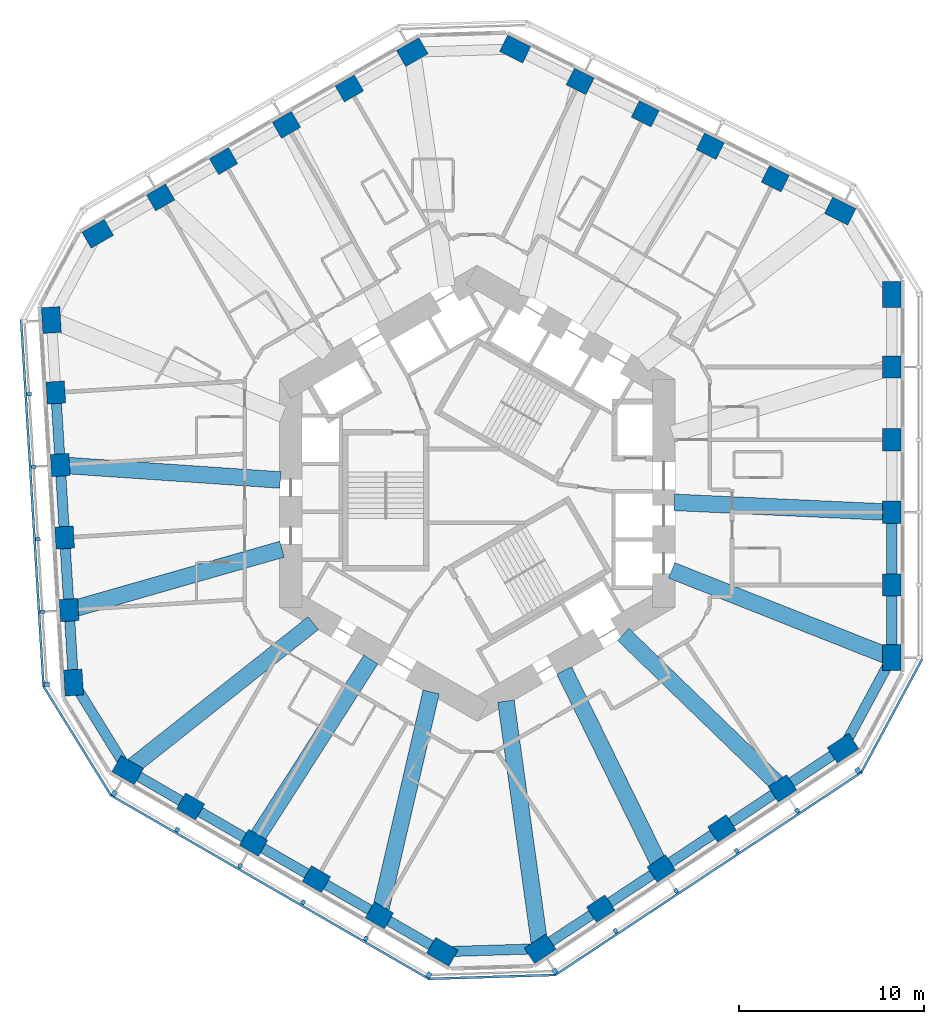
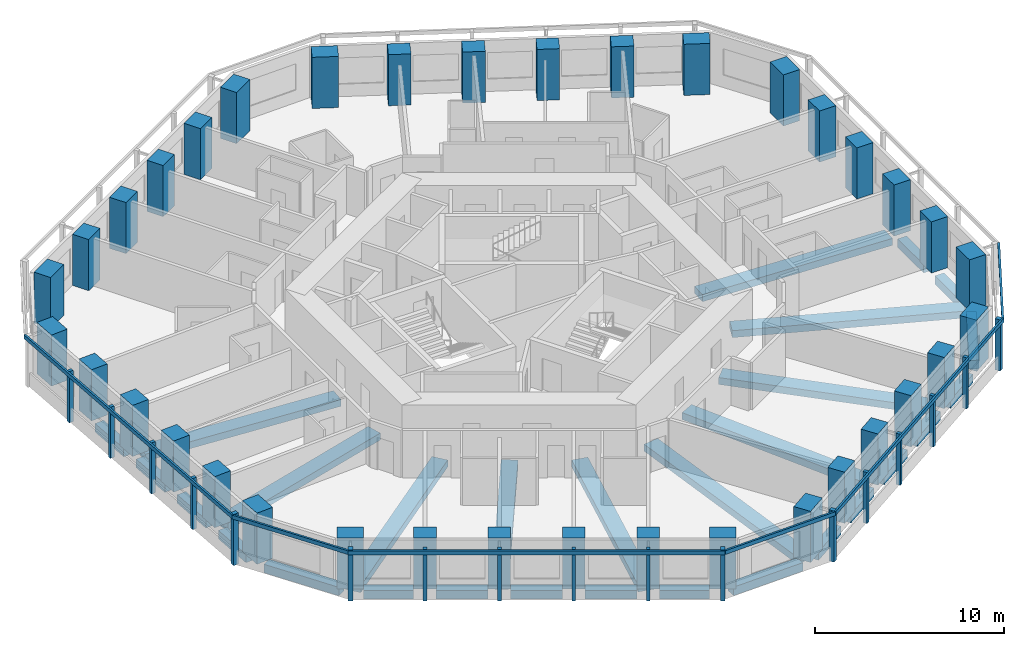
# One storey, part 1 of 12: 36 columns, 29 beams, 23 members, 6 elements without a shape of their own.
"""IFC4 building model written with IfcOpenShell, lengths in metres."""

from ifc_helpers import new_model, si_unit, direction, frame, origin, origin_2d, place, context, subcontext, project, spatial, rectangle, extrude, material, material_profile, profile_set, type_object, element, aggregate, save


model = new_model("IFC4")

# Units and contexts
model_context = context("Model", 3, precision=1e-05, world=origin(), true_north=direction((0.0, 1.0)))
body_context = subcontext(model_context, "Body", "Model", "MODEL_VIEW")
ifc_project = project(units=[si_unit("LENGTHUNIT", "METRE"), si_unit("AREAUNIT", "SQUARE_METRE"), si_unit("VOLUMEUNIT", "CUBIC_METRE"), si_unit("PLANEANGLEUNIT", "RADIAN"), si_unit("MASSUNIT", "GRAM", prefix="KILO")], contexts=[model_context])

# Site, building, storey
site_placement = place(None, origin())
site = spatial("IfcSite", under=ifc_project, at=site_placement, CompositionType="ELEMENT")
building_placement = place(site_placement, origin())
building = spatial("IfcBuilding", under=site, at=building_placement, Name="Vanh Sen Convention Tower", CompositionType="ELEMENT")
storey_placement = place(building_placement, frame((0.0, 0.0, 86.89990234375)))
storey = spatial("IfcBuildingStorey", under=building, at=storey_placement, Name="L19", CompositionType="ELEMENT", Elevation=86.89990234375)

# Columns
ifc_material_1 = material(Name="Concrete C80/95", Category="concrete")
ifc_material_profile_1 = material_profile(ifc_material_1, rectangle(XDim=1.199951171875, YDim=1.0, at=origin_2d()), Name="RC 1200X1000")
ifc_profile_set_1 = profile_set([ifc_material_profile_1], Name="Concrete C80/95")
column_type_1 = type_object("IfcColumnType", Name="Facade column 1200 x 1000 C80/95", PredefinedType="COLUMN", material=ifc_profile_set_1)
for number, where, z_axis, x_axis, name in (
    (1, (22.449951171875, -4.964599609375, 0.0), (0.0, 0.0, 1.0), (0.0, 1.0, 0.0), "Facade column 02 L19"),
    (2, (22.449951171875, -1.030029296875, 0.0), (0.0, 0.0, 1.0), (0.0, 1.0, 0.0), "Facade column 03 L19"),
    (3, (22.449951171875, 2.904541015625, 0.0), (0.0, 0.0, 1.0), (0.0, 1.0, 0.0), "Facade column 04 L19"),
    (4, (22.449951171875, 6.839111328125, 0.0), (0.0, 0.0, 1.0), (0.0, 1.0, 0.0), "Facade column 05 L19"),
    (5, (16.1376953125, 17.039794921875, 0.0), (0.0, 0.0, 1.0), (-0.894934361602, 0.44619781311, 0.0), "Facade column 08 L19"),
    (6, (12.616455078125, 18.79541015625, 0.0), (0.0, 0.0, 1.0), (-0.894934361602, 0.44619781311, 0.0), "Facade column 09 L19"),
    (7, (9.09521484375, 20.55078125, 0.0), (0.0, 0.0, 1.0), (-0.894934361602, 0.44619781311, 0.0), "Facade column 10 L19"),
    (8, (5.57421875, 22.306396484375, 0.0), (0.0, 0.0, 1.0), (-0.894934361602, 0.44619781311, 0.0), "Facade column 11 L19"),
    (9, (-6.925537109375, 21.924560546875, 0.0), (0.0, 0.0, 1.0), (-0.866025403784, -0.5, 0.0), "Facade column 14 L19"),
    (10, (-10.3330078125, 19.957275390625, 0.0), (0.0, 0.0, 1.0), (-0.866025403784, -0.5, 0.0), "Facade column 15 L19"),
    (11, (-13.740478515625, 17.989990234375, 0.0), (0.0, 0.0, 1.0), (-0.866025403784, -0.5, 0.0), "Facade column 16 L19"),
    (12, (-17.14794921875, 16.022705078125, 0.0), (0.0, 0.0, 1.0), (-0.866025403784, -0.5, 0.0), "Facade column 17 L19"),
    (13, (-22.82568359375, 5.455810546875, 0.0), (0.0, 0.0, 1.0), (0.061048539535, -0.998134798422, 0.0), "Facade column 20 L19"),
    (14, (-22.58544921875, 1.528564453125, 0.0), (0.0, 0.0, 1.0), (0.061048539535, -0.998134798422, 0.0), "Facade column 21 L19"),
    (15, (-22.34521484375, -2.398681640625, 0.0), (0.0, 0.0, 1.0), (0.061048539535, -0.998134798422, 0.0), "Facade column 22 L19"),
    (16, (-22.10498046875, -6.325927734375, 0.0), (0.0, 0.0, 1.0), (0.061048539535, -0.998134798422, 0.0), "Facade column 23 L19"),
    (17, (-15.5244140625, -16.9599609375, 0.0), (0.0, 0.0, 1.0), (0.866025403784, -0.5, 0.0), "Facade column 26 L19"),
    (18, (-12.1171875, -18.92724609375, 0.0), (0.0, 0.0, 1.0), (0.866025403784, -0.5, 0.0), "Facade column 27 L19"),
    (19, (-8.709716796875, -20.89453125, 0.0), (0.0, 0.0, 1.0), (0.866025403784, -0.5, 0.0), "Facade column 28 L19"),
    (20, (-5.302001953125, -22.86181640625, 0.0), (0.0, 0.0, 1.0), (0.866025403784, -0.5, 0.0), "Facade column 29 L19"),
    (21, (6.68798828125, -22.49560546875, 0.0), (0.0, 0.0, 1.0), (0.833885822067, 0.551936985312, 0.0), "Facade column 32 L19"),
    (22, (9.968994140625, -20.323974609375, 0.0), (0.0, 0.0, 1.0), (0.833885822067, 0.551936985312, 0.0), "Facade column 33 L19"),
    (23, (13.25, -18.152099609375, 0.0), (0.0, 0.0, 1.0), (0.833885822067, 0.551936985312, 0.0), "Facade column 34 L19"),
    (24, (16.531005859375, -15.980712890625, 0.0), (0.0, 0.0, 1.0), (0.833885822067, 0.551936985312, 0.0), "Facade column 35 L19"),
):
    element("IfcColumn", number, at=place(storey_placement, frame(where, z_axis=z_axis, x_axis=x_axis)), inside=storey, type_object=column_type_1, Name=name, PredefinedType="COLUMN", context=body_context, shape_type="SweptSolid", body=[
        extrude(rectangle(XDim=1.199951171875, YDim=1.0, at=origin_2d()), origin(), (0.0, 0.0, 1.0), 3.300048828125),
    ])
ifc_material_profile_2 = material_profile(ifc_material_1, rectangle(XDim=1.39990234375, YDim=1.0, at=origin_2d()), Name="RC 1400X1000")
ifc_profile_set_2 = profile_set([ifc_material_profile_2], Name="Concrete C80/95")
column_type_2 = type_object("IfcColumnType", Name="Facade corner column 1400 x 1000 C80/95", PredefinedType="COLUMN", material=ifc_profile_set_2)
for number, where, z_axis, x_axis, name in (
    (25, (22.449951171875, -8.899169921875, 0.0), (0.0, 0.0, 1.0), (0.0, 1.0, 0.0), "Facade column 01 L19"),
    (26, (22.449951171875, 10.773681640625, 0.0), (0.0, 0.0, 1.0), (0.0, 1.0, 0.0), "Facade column 06 L19"),
    (27, (19.658935546875, 15.2841796875, 0.0), (0.0, 0.0, 1.0), (-0.894934361602, 0.44619781311, 0.0), "Facade column 07 L19"),
    (28, (2.052978515625, 24.06201171875, 0.0), (0.0, 0.0, 1.0), (-0.894934361602, 0.44619781311, 0.0), "Facade column 12 L19"),
    (29, (-3.51806640625, 23.891845703125, 0.0), (0.0, 0.0, 1.0), (-0.866025403784, -0.5, 0.0), "Facade column 13 L19"),
    (30, (-20.555419921875, 14.055419921875, 0.0), (0.0, 0.0, 1.0), (-0.866025403784, -0.5, 0.0), "Facade column 18 L19"),
    (31, (-23.06591796875, 9.383056640625, 0.0), (0.0, 0.0, 1.0), (0.061048539535, -0.998134798422, 0.0), "Facade column 19 L19"),
    (32, (-21.86474609375, -10.253173828125, 0.0), (0.0, 0.0, 1.0), (0.061048539535, -0.998134798422, 0.0), "Facade column 24 L19"),
    (33, (-18.931884765625, -14.99267578125, 0.0), (0.0, 0.0, 1.0), (0.866025403784, -0.5, 0.0), "Facade column 25 L19"),
    (34, (-1.894775390625, -24.8291015625, 0.0), (0.0, 0.0, 1.0), (0.866025403784, -0.5, 0.0), "Facade column 30 L19"),
    (35, (3.406982421875, -24.6669921875, 0.0), (0.0, 0.0, 1.0), (0.833885822067, 0.551936985312, 0.0), "Facade column 31 L19"),
    (36, (19.81201171875, -13.808837890625, 0.0), (0.0, 0.0, 1.0), (0.833885822067, 0.551936985312, 0.0), "Facade column 36 L19"),
):
    element("IfcColumn", number, at=place(storey_placement, frame(where, z_axis=z_axis, x_axis=x_axis)), inside=storey, type_object=column_type_2, Name=name, PredefinedType="COLUMN", context=body_context, shape_type="SweptSolid", body=[
        extrude(rectangle(XDim=1.39990234375, YDim=1.0, at=origin_2d()), origin(), (0.0, 0.0, 1.0), 3.300048828125),
    ])

# Curtain wall, member
ifc_material_2 = material(Name="Concrete C50/60", Category="concrete")
curtain_wall_type = type_object("IfcCurtainWallType", Name="Outer skin hotel zone", PredefinedType="NOTDEFINED", material=ifc_material_2)
curtain_wall_1_placement = place(storey_placement, origin())
curtain_wall_1 = element("IfcCurtainWall", 37, at=curtain_wall_1_placement, inside=storey, type_object=curtain_wall_type, Name="OUTER SKIN W L19", PredefinedType="NOTDEFINED")
ifc_material_profile_3 = material_profile(ifc_material_2, rectangle(XDim=0.25, YDim=0.300048828125, at=origin_2d()), Name="Outer skin precast corner fin 250 x 300")
ifc_profile_set_3 = profile_set([ifc_material_profile_3], Name="Concrete C50/60")
member_type_1 = type_object("IfcMemberType", Name="Outer skin precast corner fin 250 x 300", PredefinedType="MULLION", material=ifc_profile_set_3)
member_1_placement = place(storey_placement, frame((-23.31201171875, -10.341796875, 0.0), z_axis=(0.0, 0.0, 1.0), x_axis=(0.061048539535, -0.998134798422, 0.0)))
member_1 = element("IfcMember", 38, at=member_1_placement, type_object=member_type_1, Name="OUTER SKIN CORNER FIN 6 W L19", PredefinedType="MULLION", context=body_context, shape_type="SweptSolid", body=[
    extrude(rectangle(XDim=0.25, YDim=0.300048828125, at=origin_2d()), origin(), (0.0, 0.0, 1.0), 3.300048828125),
])

# Curtain wall, members
curtain_wall_2_placement = place(storey_placement, origin())
curtain_wall_2 = element("IfcCurtainWall", 39, at=curtain_wall_2_placement, inside=storey, type_object=curtain_wall_type, Name="OUTER SKIN SW L19", PredefinedType="NOTDEFINED")
member_2_placement = place(storey_placement, frame((-19.656982421875, -16.248291015625, 0.0), z_axis=(0.0, 0.0, 1.0), x_axis=(0.866025403784, -0.5, 0.0)))
member_2 = element("IfcMember", 40, at=member_2_placement, type_object=member_type_1, Name="OUTER SKIN CORNER FIN 1 SW L19", PredefinedType="MULLION", context=body_context, shape_type="SweptSolid", body=[
    extrude(rectangle(XDim=0.25, YDim=0.300048828125, at=origin_2d()), origin(), (0.0, 0.0, 1.0), 3.300048828125),
])
member_3_placement = place(storey_placement, frame((-2.61962890625, -26.084716796875, 0.0), z_axis=(0.0, 0.0, 1.0), x_axis=(0.866025403784, -0.5, 0.0)))
member_3 = element("IfcMember", 41, at=member_3_placement, type_object=member_type_1, Name="OUTER SKIN CORNER FIN 6 SW L19", PredefinedType="MULLION", context=body_context, shape_type="SweptSolid", body=[
    extrude(rectangle(XDim=0.25, YDim=0.300048828125, at=origin_2d()), origin(), (0.0, 0.0, 1.0), 3.300048828125),
])

curtain_wall_3_placement = place(storey_placement, origin())
curtain_wall_3 = element("IfcCurtainWall", 42, at=curtain_wall_3_placement, inside=storey, type_object=curtain_wall_type, Name="OUTER SKIN SE L19", PredefinedType="NOTDEFINED")
member_4_placement = place(storey_placement, frame((4.207275390625, -25.876220703125, 0.0), z_axis=(0.0, 0.0, 1.0), x_axis=(0.833885822067, 0.551936985312, 0.0)))
member_4 = element("IfcMember", 43, at=member_4_placement, type_object=member_type_1, Name="OUTER SKIN CORNER FIN 1 SE L19", PredefinedType="MULLION", context=body_context, shape_type="SweptSolid", body=[
    extrude(rectangle(XDim=0.25, YDim=0.300048828125, at=origin_2d()), origin(), (0.0, 0.0, 1.0), 3.300048828125),
])
member_5_placement = place(storey_placement, frame((20.6123046875, -15.01806640625, 0.0), z_axis=(0.0, 0.0, 1.0), x_axis=(0.833885822067, 0.551936985312, 0.0)))
member_5 = element("IfcMember", 44, at=member_5_placement, type_object=member_type_1, Name="OUTER SKIN CORNER FIN 6 SE L19", PredefinedType="MULLION", context=body_context, shape_type="SweptSolid", body=[
    extrude(rectangle(XDim=0.25, YDim=0.300048828125, at=origin_2d()), origin(), (0.0, 0.0, 1.0), 3.300048828125),
])

# Member
ifc_material_profile_4 = material_profile(ifc_material_2, rectangle(XDim=0.199951171875, YDim=0.25, at=origin_2d()), Name="Outer skin precast fin 200 x 250")
ifc_profile_set_4 = profile_set([ifc_material_profile_4], Name="Concrete C50/60")
member_type_2 = type_object("IfcMemberType", Name="Outer skin precast fin 200 x 250", PredefinedType="MULLION", material=ifc_profile_set_4)
member_6_placement = place(storey_placement, frame((-24.27294921875, 5.3671875, 0.0), z_axis=(0.0, 0.0, 1.0), x_axis=(0.061048539535, -0.998134798422, 0.0)))
member_6 = element("IfcMember", 45, at=member_6_placement, type_object=member_type_2, Name="OUTER SKIN fin 2 W L19", PredefinedType="MULLION", context=body_context, shape_type="SweptSolid", body=[
    extrude(rectangle(XDim=0.199951171875, YDim=0.25, at=origin_2d()), origin(), (0.0, 0.0, 1.0), 3.300048828125),
])

member_7_placement = place(storey_placement, frame((-24.03271484375, 1.440185546875, 0.0), z_axis=(0.0, 0.0, 1.0), x_axis=(0.061048539535, -0.998134798422, 0.0)))
member_7 = element("IfcMember", 46, at=member_7_placement, type_object=member_type_2, Name="OUTER SKIN fin 3 W L19", PredefinedType="MULLION", context=body_context, shape_type="SweptSolid", body=[
    extrude(rectangle(XDim=0.199951171875, YDim=0.25, at=origin_2d()), origin(), (0.0, 0.0, 1.0), 3.300048828125),
])

member_8_placement = place(storey_placement, frame((-23.79248046875, -2.4873046875, 0.0), z_axis=(0.0, 0.0, 1.0), x_axis=(0.061048539535, -0.998134798422, 0.0)))
member_8 = element("IfcMember", 47, at=member_8_placement, type_object=member_type_2, Name="OUTER SKIN fin 4 W L19", PredefinedType="MULLION", context=body_context, shape_type="SweptSolid", body=[
    extrude(rectangle(XDim=0.199951171875, YDim=0.25, at=origin_2d()), origin(), (0.0, 0.0, 1.0), 3.300048828125),
])

member_9_placement = place(storey_placement, frame((-23.55224609375, -6.414306640625, 0.0), z_axis=(0.0, 0.0, 1.0), x_axis=(0.061048539535, -0.998134798422, 0.0)))
member_9 = element("IfcMember", 48, at=member_9_placement, type_object=member_type_2, Name="OUTER SKIN fin 5 W L19", PredefinedType="MULLION", context=body_context, shape_type="SweptSolid", body=[
    extrude(rectangle(XDim=0.199951171875, YDim=0.25, at=origin_2d()), origin(), (0.0, 0.0, 1.0), 3.300048828125),
])

member_10_placement = place(storey_placement, frame((-16.24951171875, -18.2158203125, 0.0), z_axis=(0.0, 0.0, 1.0), x_axis=(0.866025403784, -0.5, 0.0)))
member_10 = element("IfcMember", 49, at=member_10_placement, type_object=member_type_2, Name="OUTER SKIN fin 2 SW L19", PredefinedType="MULLION", context=body_context, shape_type="SweptSolid", body=[
    extrude(rectangle(XDim=0.199951171875, YDim=0.25, at=origin_2d()), origin(), (0.0, 0.0, 1.0), 3.300048828125),
])

member_11_placement = place(storey_placement, frame((-12.842041015625, -20.182861328125, 0.0), z_axis=(0.0, 0.0, 1.0), x_axis=(0.866025403784, -0.5, 0.0)))
member_11 = element("IfcMember", 50, at=member_11_placement, type_object=member_type_2, Name="OUTER SKIN fin 3 SW L19", PredefinedType="MULLION", context=body_context, shape_type="SweptSolid", body=[
    extrude(rectangle(XDim=0.199951171875, YDim=0.25, at=origin_2d()), origin(), (0.0, 0.0, 1.0), 3.300048828125),
])

member_12_placement = place(storey_placement, frame((-9.4345703125, -22.150146484375, 0.0), z_axis=(0.0, 0.0, 1.0), x_axis=(0.866025403784, -0.5, 0.0)))
member_12 = element("IfcMember", 51, at=member_12_placement, type_object=member_type_2, Name="OUTER SKIN fin 4 SW L19", PredefinedType="MULLION", context=body_context, shape_type="SweptSolid", body=[
    extrude(rectangle(XDim=0.199951171875, YDim=0.25, at=origin_2d()), origin(), (0.0, 0.0, 1.0), 3.300048828125),
])

member_13_placement = place(storey_placement, frame((-6.027099609375, -24.117431640625, 0.0), z_axis=(0.0, 0.0, 1.0), x_axis=(0.866025403784, -0.5, 0.0)))
member_13 = element("IfcMember", 52, at=member_13_placement, type_object=member_type_2, Name="OUTER SKIN fin 5 SW L19", PredefinedType="MULLION", context=body_context, shape_type="SweptSolid", body=[
    extrude(rectangle(XDim=0.199951171875, YDim=0.25, at=origin_2d()), origin(), (0.0, 0.0, 1.0), 3.300048828125),
])

member_14_placement = place(storey_placement, frame((7.48828125, -23.70458984375, 0.0), z_axis=(0.0, 0.0, 1.0), x_axis=(0.833885822067, 0.551936985312, 0.0)))
member_14 = element("IfcMember", 53, at=member_14_placement, type_object=member_type_2, Name="OUTER SKIN fin 2 SE L19", PredefinedType="MULLION", context=body_context, shape_type="SweptSolid", body=[
    extrude(rectangle(XDim=0.199951171875, YDim=0.25, at=origin_2d()), origin(), (0.0, 0.0, 1.0), 3.300048828125),
])

member_15_placement = place(storey_placement, frame((10.769287109375, -21.532958984375, 0.0), z_axis=(0.0, 0.0, 1.0), x_axis=(0.833885822067, 0.551936985312, 0.0)))
member_15 = element("IfcMember", 54, at=member_15_placement, type_object=member_type_2, Name="OUTER SKIN fin 3 SE L19", PredefinedType="MULLION", context=body_context, shape_type="SweptSolid", body=[
    extrude(rectangle(XDim=0.199951171875, YDim=0.25, at=origin_2d()), origin(), (0.0, 0.0, 1.0), 3.300048828125),
])

member_16_placement = place(storey_placement, frame((14.05029296875, -19.361328125, 0.0), z_axis=(0.0, 0.0, 1.0), x_axis=(0.833885822067, 0.551936985312, 0.0)))
member_16 = element("IfcMember", 55, at=member_16_placement, type_object=member_type_2, Name="OUTER SKIN fin 4 SE L19", PredefinedType="MULLION", context=body_context, shape_type="SweptSolid", body=[
    extrude(rectangle(XDim=0.199951171875, YDim=0.25, at=origin_2d()), origin(), (0.0, 0.0, 1.0), 3.300048828125),
])

member_17_placement = place(storey_placement, frame((17.331298828125, -17.189697265625, 0.0), z_axis=(0.0, 0.0, 1.0), x_axis=(0.833885822067, 0.551936985312, 0.0)))
member_17 = element("IfcMember", 56, at=member_17_placement, type_object=member_type_2, Name="OUTER SKIN fin 5 SE L19", PredefinedType="MULLION", context=body_context, shape_type="SweptSolid", body=[
    extrude(rectangle(XDim=0.199951171875, YDim=0.25, at=origin_2d()), origin(), (0.0, 0.0, 1.0), 3.300048828125),
])

ifc_material_profile_5 = material_profile(ifc_material_2, rectangle(XDim=0.1201171875, YDim=0.25, at=origin_2d()), Name="Outer skin precast spandrel band 250 x 120")
ifc_profile_set_5 = profile_set([ifc_material_profile_5], Name="Concrete C50/60")
member_type_3 = type_object("IfcMemberType", Name="Outer skin precast spandrel band 250 x 120", PredefinedType="USERDEFINED", material=ifc_profile_set_5)
member_18_placement = place(storey_placement, frame((-24.705322265625, 9.408203125, 3.175048828125), z_axis=(0.061050017989, -0.998134707995, 0.0), x_axis=(0.998134707995, 0.061050017989, 0.0)))
member_18 = element("IfcMember", 57, at=member_18_placement, type_object=member_type_3, Name="OUTER SKIN spandrel band W L19", ObjectType="TRANSOM", PredefinedType="USERDEFINED", context=body_context, shape_type="SweptSolid", body=[
    extrude(rectangle(XDim=0.1201171875, YDim=0.25, at=origin_2d()), origin(), (0.0, 0.0, 1.0), 19.923095703125),
])

aggregate(curtain_wall_1, [member_6, member_7, member_8, member_9, member_1, member_18])

# Curtain wall, member
curtain_wall_4_placement = place(storey_placement, origin())
curtain_wall_4 = element("IfcCurtainWall", 58, at=curtain_wall_4_placement, inside=storey, type_object=curtain_wall_type, Name="OUTER SKIN CH4 L19", PredefinedType="NOTDEFINED")
member_19_placement = place(storey_placement, frame((-23.49072265625, -10.4521484375, 3.175048828125), z_axis=(0.526196095141, -0.850363257354, 0.0), x_axis=(0.850363257354, 0.526196095141, 0.0)))
member_19 = element("IfcMember", 59, at=member_19_placement, type_object=member_type_3, Name="OUTER SKIN spandrel band CH4 L19", ObjectType="TRANSOM", PredefinedType="USERDEFINED", context=body_context, shape_type="SweptSolid", body=[
    extrude(rectangle(XDim=0.1201171875, YDim=0.25, at=origin_2d()), origin(), (0.0, 0.0, 1.0), 6.946044921875),
])
aggregate(curtain_wall_4, [member_19])

# Member
member_20_placement = place(storey_placement, frame((-19.85791015625, -16.34619140625, 3.175048828125), z_axis=(0.866028047459, -0.499995420993, 0.0), x_axis=(0.499995420993, 0.866028047459, 0.0)))
member_20 = element("IfcMember", 60, at=member_20_placement, type_object=member_type_3, Name="OUTER SKIN spandrel band SW L19", ObjectType="TRANSOM", PredefinedType="USERDEFINED", context=body_context, shape_type="SweptSolid", body=[
    extrude(rectangle(XDim=0.1201171875, YDim=0.25, at=origin_2d()), origin(), (0.0, 0.0, 1.0), 19.923095703125),
])

aggregate(curtain_wall_2, [member_2, member_10, member_11, member_12, member_13, member_3, member_20])

# Curtain wall, member
curtain_wall_5_placement = place(storey_placement, origin())
curtain_wall_5 = element("IfcCurtainWall", 61, at=curtain_wall_5_placement, inside=storey, type_object=curtain_wall_type, Name="OUTER SKIN CH5 L19", PredefinedType="NOTDEFINED")
member_21_placement = place(storey_placement, frame((-2.61328125, -26.294677734375, 3.175048828125), z_axis=(0.99953396928, 0.030526124156, 0.0), x_axis=(-0.030526124156, 0.99953396928, 0.0)))
member_21 = element("IfcMember", 62, at=member_21_placement, type_object=member_type_3, Name="OUTER SKIN spandrel band CH5 L19", ObjectType="TRANSOM", PredefinedType="USERDEFINED", context=body_context, shape_type="SweptSolid", body=[
    extrude(rectangle(XDim=0.1201171875, YDim=0.25, at=origin_2d()), origin(), (0.0, 0.0, 1.0), 6.830078125),
])
aggregate(curtain_wall_5, [member_21])

# Member
member_22_placement = place(storey_placement, frame((4.205078125, -26.099609375, 3.175048828125), z_axis=(0.833883851182, 0.551939962984, 0.0), x_axis=(-0.551939962984, 0.833883851182, 0.0)))
member_22 = element("IfcMember", 63, at=member_22_placement, type_object=member_type_3, Name="OUTER SKIN spandrel band SE L19", ObjectType="TRANSOM", PredefinedType="USERDEFINED", context=body_context, shape_type="SweptSolid", body=[
    extrude(rectangle(XDim=0.1201171875, YDim=0.25, at=origin_2d()), origin(), (0.0, 0.0, 1.0), 19.923095703125),
])

aggregate(curtain_wall_3, [member_4, member_14, member_15, member_16, member_17, member_5, member_22])

# Curtain wall, member
curtain_wall_6_placement = place(storey_placement, origin())
curtain_wall_6 = element("IfcCurtainWall", 64, at=curtain_wall_6_placement, inside=storey, type_object=curtain_wall_type, Name="OUTER SKIN CH6 L19", PredefinedType="NOTDEFINED")
member_23_placement = place(storey_placement, frame((20.797119140625, -15.117431640625, 3.175048828125), z_axis=(0.473324148816, 0.880888330123, 0.0), x_axis=(-0.880888330123, 0.473324148816, 0.0)))
member_23 = element("IfcMember", 65, at=member_23_placement, type_object=member_type_3, Name="OUTER SKIN spandrel band CH6 L19", ObjectType="TRANSOM", PredefinedType="USERDEFINED", context=body_context, shape_type="SweptSolid", body=[
    extrude(rectangle(XDim=0.1201171875, YDim=0.25, at=origin_2d()), origin(), (0.0, 0.0, 1.0), 6.9462890625),
])
aggregate(curtain_wall_6, [member_23])

# Beams
ifc_material_3 = material(Name="Concrete C50/60", Category="concrete")
ifc_material_profile_6 = material_profile(ifc_material_3, rectangle(XDim=0.89990234375, YDim=0.449951171875, at=origin_2d()), Name="RC 900X450")
ifc_profile_set_6 = profile_set([ifc_material_profile_6], Name="Concrete C50/60")
beam_type_1 = type_object("IfcBeamType", Name="Radial floor beam 900 x 450", PredefinedType="BEAM", material=ifc_profile_set_6)
beam_1_placement = place(storey_placement, frame((22.12060546875, -8.7685546875, -0.474853515625), z_axis=(-0.929625441153, 0.368505819713, 0.0), x_axis=(-0.368505819713, -0.929625441153, 0.0)))
element("IfcBeam", 66, at=beam_1_placement, inside=storey, type_object=beam_type_1, Name="Radial beam 01 L19", PredefinedType="BEAM", context=body_context, shape_type="SweptSolid", body=[
    extrude(rectangle(XDim=0.89990234375, YDim=0.449951171875, at=origin_2d()), origin(), (0.0, 0.0, 1.0), 12.468505859375),
])
beam_2_placement = place(storey_placement, frame((21.9755859375, -1.00830078125, -0.474853515625), z_axis=(-0.998948959247, 0.045836413684, 0.0), x_axis=(-0.045836413684, -0.998948959247, 0.0)))
element("IfcBeam", 67, at=beam_2_placement, inside=storey, type_object=beam_type_1, Name="Radial beam 02 L19", PredefinedType="BEAM", context=body_context, shape_type="SweptSolid", body=[
    extrude(rectangle(XDim=0.89990234375, YDim=0.449951171875, at=origin_2d()), origin(), (0.0, 0.0, 1.0), 11.313232421875),
])
beam_3_placement = place(storey_placement, frame((-22.1455078125, 1.498779296875, -0.474853515625), z_axis=(0.997717146338, -0.067531443814, 0.0), x_axis=(0.067531443814, 0.997717146338, 0.0)))
element("IfcBeam", 68, at=beam_3_placement, inside=storey, type_object=beam_type_1, Name="Radial beam 11 L19", PredefinedType="BEAM", context=body_context, shape_type="SweptSolid", body=[
    extrude(rectangle(XDim=0.89990234375, YDim=0.449951171875, at=origin_2d()), origin(), (0.0, 0.0, 1.0), 11.50732421875),
])
beam_4_placement = place(storey_placement, frame((-21.713134765625, -6.2138671875, -0.474853515625), z_axis=(0.96140779783, 0.27512732738, 0.0), x_axis=(-0.27512732738, 0.96140779783, 0.0)))
element("IfcBeam", 69, at=beam_4_placement, inside=storey, type_object=beam_type_1, Name="Radial beam 12 L19", PredefinedType="BEAM", context=body_context, shape_type="SweptSolid", body=[
    extrude(rectangle(XDim=0.89990234375, YDim=0.449951171875, at=origin_2d()), origin(), (0.0, 0.0, 1.0), 11.589111328125),
])
beam_5_placement = place(storey_placement, frame((-18.654052734375, -14.772705078125, -0.474853515625), z_axis=(0.783950127039, 0.620823806177, 0.0), x_axis=(-0.620823806177, 0.783950127039, 0.0)))
element("IfcBeam", 70, at=beam_5_placement, inside=storey, type_object=beam_type_1, Name="Radial beam 13 L19", PredefinedType="BEAM", context=body_context, shape_type="SweptSolid", body=[
    extrude(rectangle(XDim=0.89990234375, YDim=0.449951171875, at=origin_2d()), origin(), (0.0, 0.0, 1.0), 12.468505859375),
])
beam_6_placement = place(storey_placement, frame((-11.861083984375, -18.52734375, -0.474853515625), z_axis=(0.539166370538, 0.842199278604, 0.0), x_axis=(-0.842199278604, 0.539166370538, 0.0)))
element("IfcBeam", 71, at=beam_6_placement, inside=storey, type_object=beam_type_1, Name="Radial beam 14 L19", PredefinedType="BEAM", context=body_context, shape_type="SweptSolid", body=[
    extrude(rectangle(XDim=0.89990234375, YDim=0.449951171875, at=origin_2d()), origin(), (0.0, 0.0, 1.0), 11.31298828125),
])
beam_7_placement = place(storey_placement, frame((-5.216064453125, -22.4912109375, -0.474853515625), z_axis=(0.225903026676, 0.974149794713, 0.0), x_axis=(-0.974149794713, 0.225903026676, 0.0)))
element("IfcBeam", 72, at=beam_7_placement, inside=storey, type_object=beam_type_1, Name="Radial beam 15 L19", PredefinedType="BEAM", context=body_context, shape_type="SweptSolid", body=[
    extrude(rectangle(XDim=0.89990234375, YDim=0.449951171875, at=origin_2d()), origin(), (0.0, 0.0, 1.0), 12.044677734375),
])
beam_8_placement = place(storey_placement, frame((3.361328125, -24.336669921875, -0.474853515625), z_axis=(-0.13682259219, 0.990595567457, 0.0), x_axis=(-0.990595567457, -0.13682259219, 0.0)))
element("IfcBeam", 73, at=beam_8_placement, inside=storey, type_object=beam_type_1, Name="Radial beam 16 L19", PredefinedType="BEAM", context=body_context, shape_type="SweptSolid", body=[
    extrude(rectangle(XDim=0.89990234375, YDim=0.449951171875, at=origin_2d()), origin(), (0.0, 0.0, 1.0), 13.204345703125),
])
beam_9_placement = place(storey_placement, frame((9.774658203125, -19.927978515625, -0.474853515625), z_axis=(-0.440368849839, 0.897816950214, 0.0), x_axis=(-0.897816950214, -0.440368849839, 0.0)))
element("IfcBeam", 74, at=beam_9_placement, inside=storey, type_object=beam_type_1, Name="Radial beam 17 L19", PredefinedType="BEAM", context=body_context, shape_type="SweptSolid", body=[
    extrude(rectangle(XDim=0.89990234375, YDim=0.449951171875, at=origin_2d()), origin(), (0.0, 0.0, 1.0), 11.507080078125),
])
beam_10_placement = place(storey_placement, frame((16.23779296875, -15.697265625, -0.474853515625), z_axis=(-0.71897118158, 0.69503988379, 0.0), x_axis=(-0.69503988379, -0.71897118158, 0.0)))
element("IfcBeam", 75, at=beam_10_placement, inside=storey, type_object=beam_type_1, Name="Radial beam 18 L19", PredefinedType="BEAM", context=body_context, shape_type="SweptSolid", body=[
    extrude(rectangle(XDim=0.89990234375, YDim=0.449951171875, at=origin_2d()), origin(), (0.0, 0.0, 1.0), 11.589111328125),
])
ifc_material_profile_7 = material_profile(ifc_material_3, rectangle(XDim=0.550048828125, YDim=0.550048828125, at=origin_2d()), Name="RC 550X550")
ifc_profile_set_7 = profile_set([ifc_material_profile_7], Name="Concrete C50/60")
beam_type_2 = type_object("IfcBeamType", Name="Spandrel beam 550 x 550", PredefinedType="SPANDREL", material=ifc_profile_set_7)
beam_11_placement = place(storey_placement, frame((22.449951171875, -8.2041015625, -0.52490234375), z_axis=(0.0, 1.0, 0.0), x_axis=(-1.0, 0.0, 0.0)))
element("IfcBeam", 76, at=beam_11_placement, inside=storey, type_object=beam_type_2, Name="Spandrel beam 01 L19", PredefinedType="SPANDREL", context=body_context, shape_type="SweptSolid", body=[
    extrude(rectangle(XDim=0.550048828125, YDim=0.550048828125, at=origin_2d()), origin(), (0.0, 0.0, 1.0), 2.64453125),
])
beam_12_placement = place(storey_placement, frame((22.449951171875, -4.36962890625, -0.52490234375), z_axis=(0.0, 1.0, 0.0), x_axis=(-1.0, 0.0, 0.0)))
element("IfcBeam", 77, at=beam_12_placement, inside=storey, type_object=beam_type_2, Name="Spandrel beam 02 L19", PredefinedType="SPANDREL", context=body_context, shape_type="SweptSolid", body=[
    extrude(rectangle(XDim=0.550048828125, YDim=0.550048828125, at=origin_2d()), origin(), (0.0, 0.0, 1.0), 2.74462890625),
])
beam_13_placement = place(storey_placement, frame((-22.789306640625, 4.86181640625, -0.52490234375), z_axis=(0.061115489467, -0.998130701335, 0.0), x_axis=(0.998130701335, 0.061115489467, 0.0)))
element("IfcBeam", 78, at=beam_13_placement, inside=storey, type_object=beam_type_2, Name="Spandrel beam 20 L19", PredefinedType="SPANDREL", context=body_context, shape_type="SweptSolid", body=[
    extrude(rectangle(XDim=0.550048828125, YDim=0.550048828125, at=origin_2d()), origin(), (0.0, 0.0, 1.0), 2.744384765625),
])
beam_14_placement = place(storey_placement, frame((-22.549072265625, 0.934814453125, -0.52490234375), z_axis=(0.061021442686, -0.998136455367, 0.0), x_axis=(0.998136455367, 0.061021442686, 0.0)))
element("IfcBeam", 79, at=beam_14_placement, inside=storey, type_object=beam_type_2, Name="Spandrel beam 21 L19", PredefinedType="SPANDREL", context=body_context, shape_type="SweptSolid", body=[
    extrude(rectangle(XDim=0.550048828125, YDim=0.550048828125, at=origin_2d()), origin(), (0.0, 0.0, 1.0), 2.74462890625),
])
beam_15_placement = place(storey_placement, frame((-22.308837890625, -2.99267578125, -0.52490234375), z_axis=(0.061026861063, -0.998136124098, 0.0), x_axis=(0.998136124098, 0.061026861063, 0.0)))
element("IfcBeam", 80, at=beam_15_placement, inside=storey, type_object=beam_type_2, Name="Spandrel beam 22 L19", PredefinedType="SPANDREL", context=body_context, shape_type="SweptSolid", body=[
    extrude(rectangle(XDim=0.550048828125, YDim=0.550048828125, at=origin_2d()), origin(), (0.0, 0.0, 1.0), 2.744384765625),
])
beam_16_placement = place(storey_placement, frame((-22.068603515625, -6.919921875, -0.52490234375), z_axis=(0.061021844318, -0.998136430813, 0.0), x_axis=(0.998136430813, 0.061021844318, 0.0)))
element("IfcBeam", 81, at=beam_16_placement, inside=storey, type_object=beam_type_2, Name="Spandrel beam 23 L19", PredefinedType="SPANDREL", context=body_context, shape_type="SweptSolid", body=[
    extrude(rectangle(XDim=0.550048828125, YDim=0.550048828125, at=origin_2d()), origin(), (0.0, 0.0, 1.0), 2.64453125),
])
beam_17_placement = place(storey_placement, frame((-21.580810546875, -10.7119140625, -0.52490234375), z_axis=(0.526190044311, -0.850367001516, 0.0), x_axis=(0.850367001516, 0.526190044311, 0.0)))
element("IfcBeam", 82, at=beam_17_placement, inside=storey, type_object=beam_type_2, Name="Spandrel beam 24 L19", PredefinedType="SPANDREL", context=body_context, shape_type="SweptSolid", body=[
    extrude(rectangle(XDim=0.550048828125, YDim=0.550048828125, at=origin_2d()), origin(), (0.0, 0.0, 1.0), 4.49462890625),
])
beam_18_placement = place(storey_placement, frame((-18.330078125, -15.340087890625, -0.52490234375), z_axis=(0.865990340526, -0.500060726429, 0.0), x_axis=(0.500060726429, 0.865990340526, 0.0)))
element("IfcBeam", 83, at=beam_18_placement, inside=storey, type_object=beam_type_2, Name="Spandrel beam 25 L19", PredefinedType="SPANDREL", context=body_context, shape_type="SweptSolid", body=[
    extrude(rectangle(XDim=0.550048828125, YDim=0.550048828125, at=origin_2d()), origin(), (0.0, 0.0, 1.0), 2.644775390625),
])
for number, where, z_axis, x_axis, name in (
    (84, (-15.00927734375, -17.257568359375, -0.52490234375), (0.866067086513, -0.499927796446, 0.0), (0.499927796446, 0.866067086513, 0.0), "Spandrel beam 26 L19"),
    (85, (-11.601806640625, -19.224609375, -0.52490234375), (0.866028570666, -0.499994514761, 0.0), (0.499994514761, 0.866028570666, 0.0), "Spandrel beam 27 L19"),
    (86, (-8.1943359375, -21.19189453125, -0.52490234375), (0.866028570666, -0.499994514761, 0.0), (0.499994514761, 0.866028570666, 0.0), "Spandrel beam 28 L19"),
):
    element("IfcBeam", number, at=place(storey_placement, frame(where, z_axis=z_axis, x_axis=x_axis)), inside=storey, type_object=beam_type_2, Name=name, PredefinedType="SPANDREL", context=body_context, shape_type="SweptSolid", body=[
        extrude(rectangle(XDim=0.550048828125, YDim=0.550048828125, at=origin_2d()), origin(), (0.0, 0.0, 1.0), 2.74462890625),
    ])
beam_19_placement = place(storey_placement, frame((-4.786865234375, -23.1591796875, -0.52490234375), z_axis=(0.865990340526, -0.500060726429, 0.0), x_axis=(0.500060726429, 0.865990340526, 0.0)))
element("IfcBeam", 87, at=beam_19_placement, inside=storey, type_object=beam_type_2, Name="Spandrel beam 29 L19", PredefinedType="SPANDREL", context=body_context, shape_type="SweptSolid", body=[
    extrude(rectangle(XDim=0.550048828125, YDim=0.550048828125, at=origin_2d()), origin(), (0.0, 0.0, 1.0), 2.644775390625),
])
beam_20_placement = place(storey_placement, frame((-1.394287109375, -24.813720703125, -0.52490234375), z_axis=(0.999533914545, 0.030527916323, 0.0), x_axis=(-0.030527916323, 0.999533914545, 0.0)))
element("IfcBeam", 88, at=beam_20_placement, inside=storey, type_object=beam_type_2, Name="Spandrel beam 30 L19", PredefinedType="SPANDREL", context=body_context, shape_type="SweptSolid", body=[
    extrude(rectangle(XDim=0.550048828125, YDim=0.550048828125, at=origin_2d()), origin(), (0.0, 0.0, 1.0), 4.302490234375),
])
beam_21_placement = place(storey_placement, frame((3.986572265625, -24.283447265625, -0.52490234375), z_axis=(0.833892212548, 0.551927330227, 0.0), x_axis=(-0.551927330227, 0.833892212548, 0.0)))
element("IfcBeam", 89, at=beam_21_placement, inside=storey, type_object=beam_type_2, Name="Spandrel beam 31 L19", PredefinedType="SPANDREL", context=body_context, shape_type="SweptSolid", body=[
    extrude(rectangle(XDim=0.550048828125, YDim=0.550048828125, at=origin_2d()), origin(), (0.0, 0.0, 1.0), 2.644287109375),
])
beam_22_placement = place(storey_placement, frame((7.18408203125, -22.1669921875, -0.52490234375), z_axis=(0.833906917805, 0.551905111805, 0.0), x_axis=(-0.551905111805, 0.833906917805, 0.0)))
element("IfcBeam", 90, at=beam_22_placement, inside=storey, type_object=beam_type_2, Name="Spandrel beam 32 L19", PredefinedType="SPANDREL", context=body_context, shape_type="SweptSolid", body=[
    extrude(rectangle(XDim=0.550048828125, YDim=0.550048828125, at=origin_2d()), origin(), (0.0, 0.0, 1.0), 2.744384765625),
])
beam_23_placement = place(storey_placement, frame((10.465087890625, -19.99560546875, -0.52490234375), z_axis=(0.833865974996, 0.551966969794, 0.0), x_axis=(-0.551966969794, 0.833865974996, 0.0)))
element("IfcBeam", 91, at=beam_23_placement, inside=storey, type_object=beam_type_2, Name="Spandrel beam 33 L19", PredefinedType="SPANDREL", context=body_context, shape_type="SweptSolid", body=[
    extrude(rectangle(XDim=0.550048828125, YDim=0.550048828125, at=origin_2d()), origin(), (0.0, 0.0, 1.0), 2.74462890625),
])
beam_24_placement = place(storey_placement, frame((13.74609375, -17.82373046875, -0.52490234375), z_axis=(0.833906917805, 0.551905111805, 0.0), x_axis=(-0.551905111805, 0.833906917805, 0.0)))
element("IfcBeam", 92, at=beam_24_placement, inside=storey, type_object=beam_type_2, Name="Spandrel beam 34 L19", PredefinedType="SPANDREL", context=body_context, shape_type="SweptSolid", body=[
    extrude(rectangle(XDim=0.550048828125, YDim=0.550048828125, at=origin_2d()), origin(), (0.0, 0.0, 1.0), 2.744384765625),
])
beam_25_placement = place(storey_placement, frame((17.027099609375, -15.652099609375, -0.52490234375), z_axis=(0.833877845886, 0.551949035819, 0.0), x_axis=(-0.551949035819, 0.833877845886, 0.0)))
element("IfcBeam", 93, at=beam_25_placement, inside=storey, type_object=beam_type_2, Name="Spandrel beam 35 L19", PredefinedType="SPANDREL", context=body_context, shape_type="SweptSolid", body=[
    extrude(rectangle(XDim=0.550048828125, YDim=0.550048828125, at=origin_2d()), origin(), (0.0, 0.0, 1.0), 2.644775390625),
])
beam_26_placement = place(storey_placement, frame((20.0673828125, -13.33349609375, -0.52490234375), z_axis=(0.473312454828, 0.880894613507, 0.0), x_axis=(-0.880894613507, 0.473312454828, 0.0)))
element("IfcBeam", 94, at=beam_26_placement, inside=storey, type_object=beam_type_2, Name="Spandrel beam 36 L19", PredefinedType="SPANDREL", context=body_context, shape_type="SweptSolid", body=[
    extrude(rectangle(XDim=0.550048828125, YDim=0.550048828125, at=origin_2d()), origin(), (0.0, 0.0, 1.0), 4.494384765625),
])

save(model, "model.ifc")
